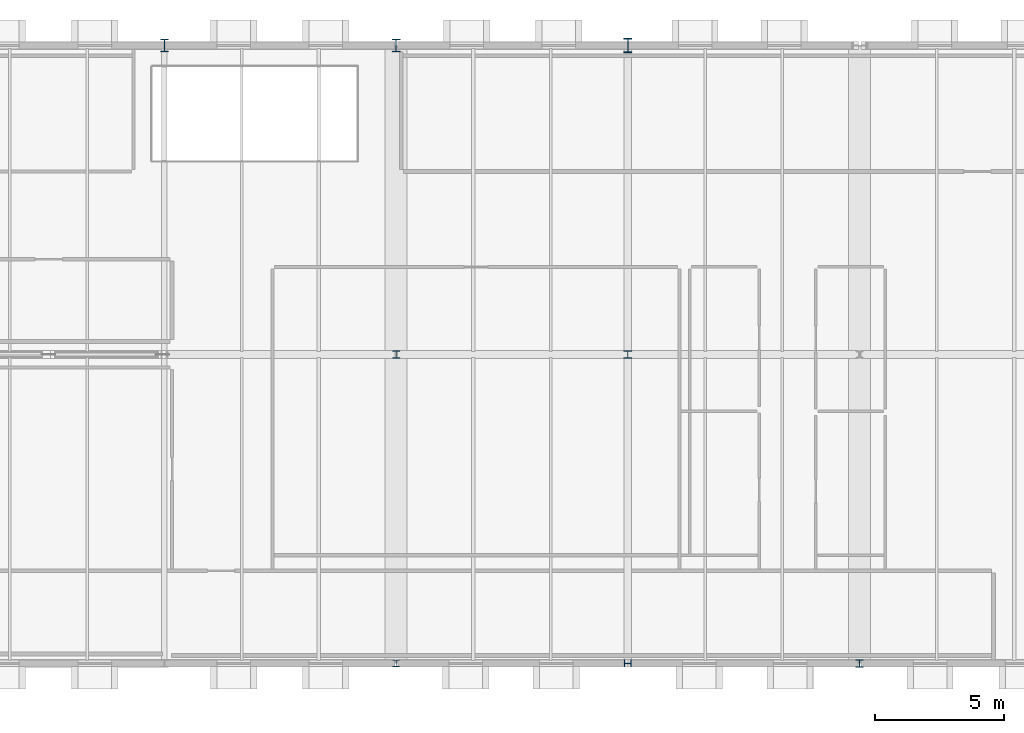
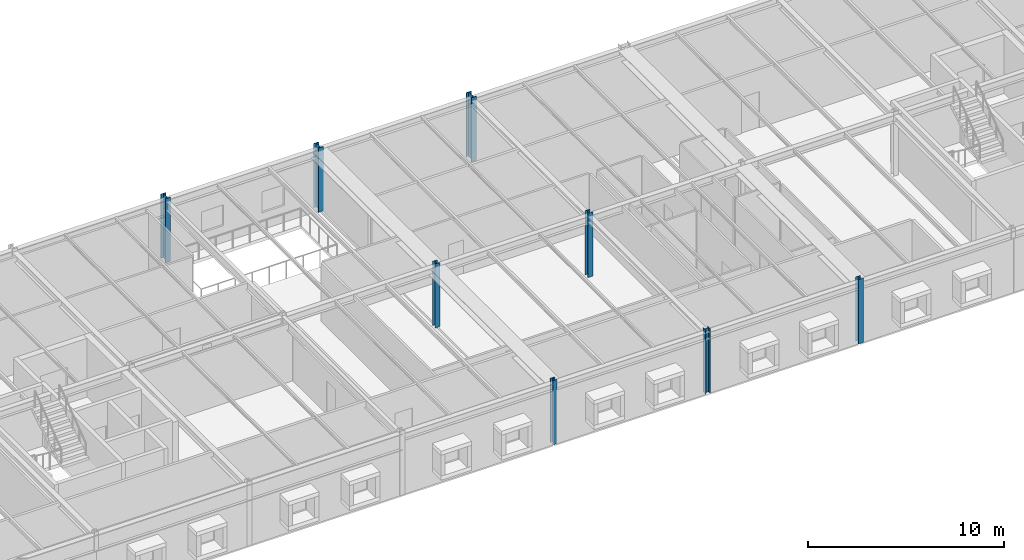
# One storey, part 2 of 17: 8 columns.
"""IFC4 building model written with IfcOpenShell, lengths in metres."""

from ifc_helpers import new_model, si_unit, direction, frame, origin, origin_2d, place, context, subcontext, project, spatial, i_section, extrude, material, material_profile, profile_set, type_object, element, save


model = new_model("IFC4")

# Units and contexts
model_context = context("Model", 3, precision=1e-05, world=origin(), true_north=direction((0.0, 1.0)))
body_context = subcontext(model_context, "Body", "Model", "MODEL_VIEW")
ifc_project = project(units=[si_unit("LENGTHUNIT", "METRE"), si_unit("AREAUNIT", "SQUARE_METRE"), si_unit("VOLUMEUNIT", "CUBIC_METRE"), si_unit("PLANEANGLEUNIT", "RADIAN"), si_unit("MASSUNIT", "GRAM", prefix="KILO")], contexts=[model_context])

# Site, building, storey
site_placement = place(None, origin())
site = spatial("IfcSite", under=ifc_project, at=site_placement, CompositionType="ELEMENT")
building_placement = place(site_placement, origin())
building = spatial("IfcBuilding", under=site, at=building_placement, Name="Montelvaro Courts of Justice", CompositionType="ELEMENT")
storey_placement = place(building_placement, frame((0.0, 0.0, 31.39990234375)))
storey = spatial("IfcBuildingStorey", under=building, at=storey_placement, Name="L07", CompositionType="ELEMENT", Elevation=31.39990234375)

# Columns
ifc_material = material(Name="Steel S355", Category="steel")
ifc_material_profile_1 = material_profile(ifc_material, i_section(OverallWidth=0.260009765625, OverallDepth=0.260009765625, WebThickness=0.010009765625, FlangeThickness=0.017578125, at=origin_2d()), Name="HEB 260")
ifc_profile_set_1 = profile_set([ifc_material_profile_1], Name="Steel S355")
column_type_1 = type_object("IfcColumnType", Name="Col_HEB260", PredefinedType="COLUMN", material=ifc_profile_set_1)
column_1_placement = place(storey_placement, frame((81.0, 0.0, 0.0), z_axis=(0.0, 0.0, 1.0), x_axis=(1.0, 0.0, 0.0)))
element("IfcColumn", 1, at=column_1_placement, inside=storey, type_object=column_type_1, Name="Column C-01 L07 10/A", PredefinedType="COLUMN", context=body_context, shape_type="SweptSolid", body=[
    extrude(i_section(OverallWidth=0.260009765625, OverallDepth=0.260009765625, WebThickness=0.010009765625, FlangeThickness=0.017578125, at=origin_2d()), origin(), (0.0, 0.0, 1.0), 4.0),
])
ifc_material_profile_2 = material_profile(ifc_material, i_section(OverallWidth=0.280029296875, OverallDepth=0.280029296875, WebThickness=0.010498046875, FlangeThickness=0.01806640625, at=origin_2d()), Name="HEB 280")
ifc_profile_set_2 = profile_set([ifc_material_profile_2], Name="Steel S355")
column_type_2 = type_object("IfcColumnType", Name="Col_HEB280", PredefinedType="COLUMN", material=ifc_profile_set_2)
for number, where, z_axis, x_axis, name in (
    (2, (81.0, 12.0, 0.0), (0.0, 0.0, 1.0), (1.0, 0.0, 0.0), "Column C-02 L07 10/B"),
    (3, (90.0, 0.0, 0.0), (0.0, 0.0, 1.0), (0.0, 1.0, 0.0), "Column C-02 L07 11/A"),
):
    element("IfcColumn", number, at=place(storey_placement, frame(where, z_axis=z_axis, x_axis=x_axis)), inside=storey, type_object=column_type_2, Name=name, PredefinedType="COLUMN", context=body_context, shape_type="SweptSolid", body=[
        extrude(i_section(OverallWidth=0.280029296875, OverallDepth=0.280029296875, WebThickness=0.010498046875, FlangeThickness=0.01806640625, at=origin_2d()), origin(), (0.0, 0.0, 1.0), 4.0),
    ])
ifc_material_profile_3 = material_profile(ifc_material, i_section(OverallWidth=0.300048828125, OverallDepth=0.300048828125, WebThickness=0.010986328125, FlangeThickness=0.01904296875, at=origin_2d()), Name="HEB 300")
ifc_profile_set_3 = profile_set([ifc_material_profile_3], Name="Steel S355")
column_type_3 = type_object("IfcColumnType", Name="Col_HEB300", PredefinedType="COLUMN", material=ifc_profile_set_3)
for number, where, z_axis, x_axis, name in (
    (4, (90.0, 12.0, 0.0), (0.0, 0.0, 1.0), (1.0, 0.0, 0.0), "Column C-03 L07 11/B"),
    (5, (99.0, 0.0, 0.0), (0.0, 0.0, 1.0), (1.0, 0.0, 0.0), "Column C-03 L07 12/A"),
):
    element("IfcColumn", number, at=place(storey_placement, frame(where, z_axis=z_axis, x_axis=x_axis)), inside=storey, type_object=column_type_3, Name=name, PredefinedType="COLUMN", context=body_context, shape_type="SweptSolid", body=[
        extrude(i_section(OverallWidth=0.300048828125, OverallDepth=0.300048828125, WebThickness=0.010986328125, FlangeThickness=0.01904296875, at=origin_2d()), origin(), (0.0, 0.0, 1.0), 4.0),
    ])
ifc_material_profile_4 = material_profile(ifc_material, i_section(OverallWidth=0.300048828125, OverallDepth=0.5, WebThickness=0.014404296875, FlangeThickness=0.028076171875, at=origin_2d()), Name="HEB 500")
ifc_profile_set_4 = profile_set([ifc_material_profile_4], Name="Steel S355")
column_type_4 = type_object("IfcColumnType", Name="Col_HEB500", PredefinedType="COLUMN", material=ifc_profile_set_4)
for number, where, z_axis, x_axis, name in (
    (6, (72.0, 24.0, 0.0), (0.0, 0.0, 1.0), (1.0, 0.0, 0.0), "Column C-09 L07 9/C"),
    (7, (81.0, 24.0, 0.0), (0.0, 0.0, 1.0), (1.0, 0.0, 0.0), "Column C-09 L07 10/C"),
):
    element("IfcColumn", number, at=place(storey_placement, frame(where, z_axis=z_axis, x_axis=x_axis)), inside=storey, type_object=column_type_4, Name=name, PredefinedType="COLUMN", context=body_context, shape_type="SweptSolid", body=[
        extrude(i_section(OverallWidth=0.300048828125, OverallDepth=0.5, WebThickness=0.014404296875, FlangeThickness=0.028076171875, at=origin_2d()), origin(), (0.0, 0.0, 1.0), 4.0),
    ])
ifc_material_profile_5 = material_profile(ifc_material, i_section(OverallWidth=0.300048828125, OverallDepth=0.550048828125, WebThickness=0.014892578125, FlangeThickness=0.029052734375, at=origin_2d()), Name="HEB 550")
ifc_profile_set_5 = profile_set([ifc_material_profile_5], Name="Steel S355")
column_type_5 = type_object("IfcColumnType", Name="Col_HEB550", PredefinedType="COLUMN", material=ifc_profile_set_5)
column_2_placement = place(storey_placement, frame((90.0, 24.0, 0.0), z_axis=(0.0, 0.0, 1.0), x_axis=(1.0, 0.0, 0.0)))
element("IfcColumn", 8, at=column_2_placement, inside=storey, type_object=column_type_5, Name="Column C-10 L07 11/C", PredefinedType="COLUMN", context=body_context, shape_type="SweptSolid", body=[
    extrude(i_section(OverallWidth=0.300048828125, OverallDepth=0.550048828125, WebThickness=0.014892578125, FlangeThickness=0.029052734375, at=origin_2d()), origin(), (0.0, 0.0, 1.0), 4.0),
])

save(model, "model.ifc")
